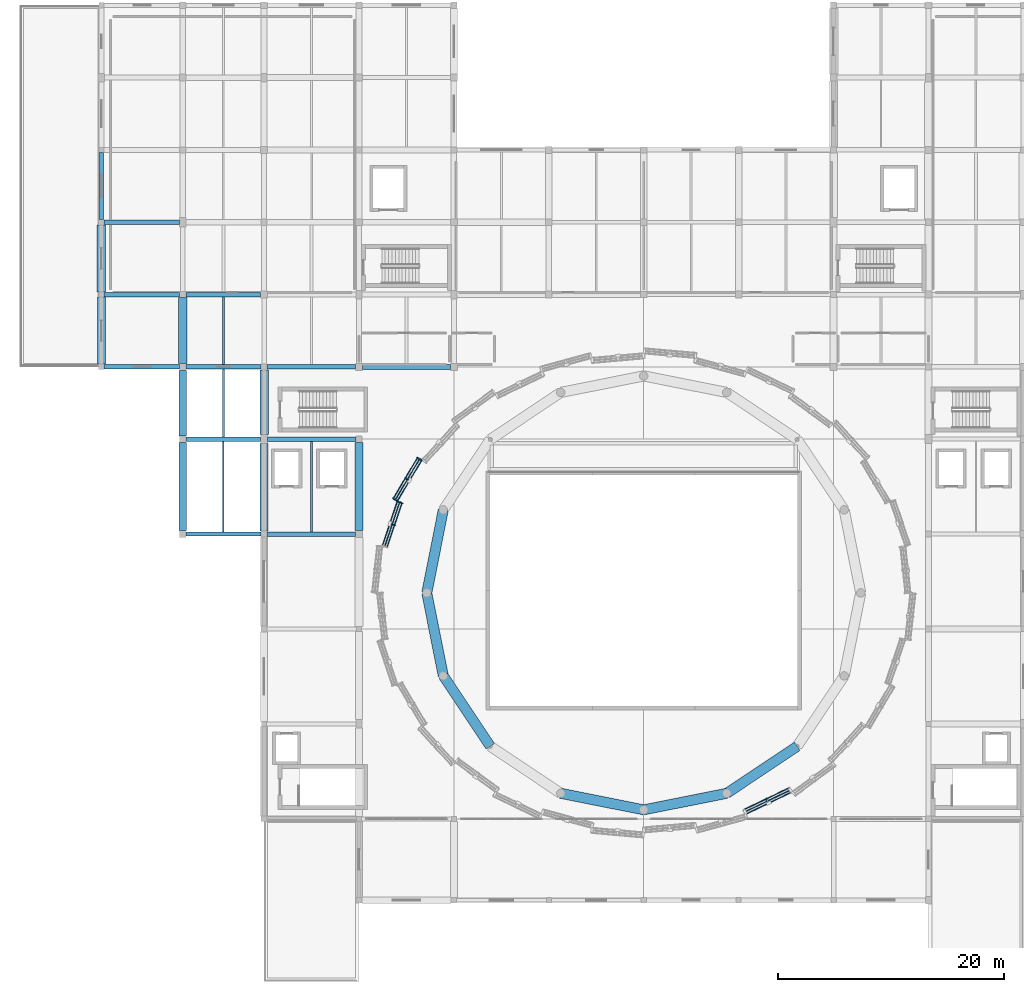
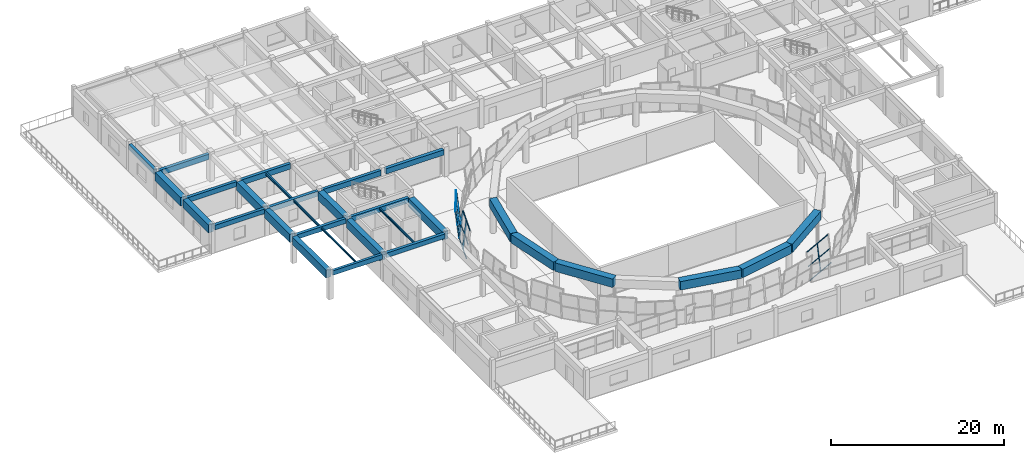
# One storey, part 14 of 40: 30 beams, 24 members, 3 elements without a shape of their own.
"""IFC4 building model written with IfcOpenShell, lengths in metres."""

from ifc_helpers import new_model, si_unit, direction, frame, origin, origin_2d, place, context, subcontext, project, spatial, rectangle, hollow_rectangle, i_section, extrude, material, material_profile, profile_set, type_object, element, aggregate, save


model = new_model("IFC4")

# Units and contexts
model_context = context("Model", 3, precision=1e-05, world=origin(), true_north=direction((0.0, 1.0)))
body_context = subcontext(model_context, "Body", "Model", "MODEL_VIEW")
ifc_project = project(units=[si_unit("LENGTHUNIT", "METRE"), si_unit("AREAUNIT", "SQUARE_METRE"), si_unit("VOLUMEUNIT", "CUBIC_METRE"), si_unit("PLANEANGLEUNIT", "RADIAN"), si_unit("MASSUNIT", "GRAM", prefix="KILO")], contexts=[model_context])

# Site, building, storey
site_placement = place(None, origin())
site = spatial("IfcSite", under=ifc_project, at=site_placement, CompositionType="ELEMENT")
building_placement = place(site_placement, origin())
building = spatial("IfcBuilding", under=site, at=building_placement, Name="Korsvaeld Concert Hall", CompositionType="ELEMENT")
storey_placement = place(building_placement, frame((0.0, 0.0, 13.199951171875)))
storey = spatial("IfcBuildingStorey", under=building, at=storey_placement, Name="L03", CompositionType="ELEMENT", Elevation=13.199951171875)

# Beams
ifc_material_1 = material(Name="Concrete C35/45", Category="concrete")
ifc_material_profile_1 = material_profile(ifc_material_1, rectangle(XDim=0.35009765625, YDim=0.64990234375, at=origin_2d()), Name="RC 350x650")
ifc_profile_set_1 = profile_set([ifc_material_profile_1], Name="Concrete C35/45")
beam_type_1 = type_object("IfcBeamType", Name="BM-RC-350x650", PredefinedType="T_BEAM", material=ifc_profile_set_1)
beam_1_placement = place(storey_placement, frame((43.5, 68.39990234375, 3.51513671875), z_axis=(1.0, 0.0, 0.0), x_axis=(0.0, 1.0, 0.0)))
element("IfcBeam", 1, at=beam_1_placement, inside=storey, type_object=beam_type_1, Name="Primary girder 7-8/K L03", PredefinedType="T_BEAM", context=body_context, shape_type="SweptSolid", body=[
    extrude(rectangle(XDim=0.35009765625, YDim=0.64990234375, at=origin_2d()), origin(), (0.0, 0.0, 1.0), 6.625),
])
ifc_material_profile_2 = material_profile(ifc_material_1, rectangle(XDim=0.39990234375, YDim=0.64990234375, at=origin_2d()), Name="RC 400x650")
ifc_profile_set_2 = profile_set([ifc_material_profile_2], Name="Concrete C35/45")
beam_type_2 = type_object("IfcBeamType", Name="BM-RC-400x650", PredefinedType="T_BEAM", material=ifc_profile_set_2)
beam_2_placement = place(storey_placement, frame((50.675048828125, 68.39990234375, 3.51513671875), z_axis=(1.0, 0.0, 0.0), x_axis=(0.0, 1.0, 0.0)))
element("IfcBeam", 2, at=beam_2_placement, inside=storey, type_object=beam_type_2, Name="Primary girder 8-9/K L03", PredefinedType="T_BEAM", context=body_context, shape_type="SweptSolid", body=[
    extrude(rectangle(XDim=0.39990234375, YDim=0.64990234375, at=origin_2d()), origin(), (0.0, 0.0, 1.0), 7.824951171875),
])
beam_3_placement = place(storey_placement, frame((43.47509765625, 76.800048828125, 3.51513671875), z_axis=(1.0, 0.0, 0.0), x_axis=(0.0, 1.0, 0.0)))
element("IfcBeam", 3, at=beam_3_placement, inside=storey, type_object=beam_type_2, Name="Primary girder 7-8/L L03", PredefinedType="T_BEAM", context=body_context, shape_type="SweptSolid", body=[
    extrude(rectangle(XDim=0.39990234375, YDim=0.64990234375, at=origin_2d()), origin(), (0.0, 0.0, 1.0), 6.625),
])
beam_4_placement = place(storey_placement, frame((36.25, 83.199951171875, 3.51513671875), z_axis=(1.0, 0.0, 0.0), x_axis=(0.0, 1.0, 0.0)))
element("IfcBeam", 4, at=beam_4_placement, inside=storey, type_object=beam_type_2, Name="Primary girder 6-7/M L03", PredefinedType="T_BEAM", context=body_context, shape_type="SweptSolid", body=[
    extrude(rectangle(XDim=0.39990234375, YDim=0.64990234375, at=origin_2d()), origin(), (0.0, 0.0, 1.0), 6.64990234375),
])
ifc_material_profile_3 = material_profile(ifc_material_1, rectangle(XDim=0.39990234375, YDim=0.699951171875, at=origin_2d()), Name="RC 400x700")
ifc_profile_set_3 = profile_set([ifc_material_profile_3], Name="Concrete C35/45")
beam_type_3 = type_object("IfcBeamType", Name="BM-RC-400x700", PredefinedType="T_BEAM", material=ifc_profile_set_3)
beam_5_placement = place(storey_placement, frame((50.699951171875, 76.800048828125, 3.489990234375), z_axis=(1.0, 0.0, 0.0), x_axis=(0.0, 1.0, 0.0)))
element("IfcBeam", 5, at=beam_5_placement, inside=storey, type_object=beam_type_3, Name="Primary girder 8-9/L L03", PredefinedType="T_BEAM", context=body_context, shape_type="SweptSolid", body=[
    extrude(rectangle(XDim=0.39990234375, YDim=0.699951171875, at=origin_2d()), origin(), (0.0, 0.0, 1.0), 7.824951171875),
])
beam_6_placement = place(storey_placement, frame((43.5, 83.199951171875, 3.489990234375), z_axis=(1.0, 0.0, 0.0), x_axis=(0.0, 1.0, 0.0)))
element("IfcBeam", 6, at=beam_6_placement, inside=storey, type_object=beam_type_3, Name="Primary girder 7-8/M L03", PredefinedType="T_BEAM", context=body_context, shape_type="SweptSolid", body=[
    extrude(rectangle(XDim=0.39990234375, YDim=0.699951171875, at=origin_2d()), origin(), (0.0, 0.0, 1.0), 6.625),
])
beam_7_placement = place(storey_placement, frame((36.22509765625, 89.60009765625, 3.489990234375), z_axis=(1.0, 0.0, 0.0), x_axis=(0.0, 1.0, 0.0)))
element("IfcBeam", 7, at=beam_7_placement, inside=storey, type_object=beam_type_3, Name="Primary girder 6-7/N L03", PredefinedType="T_BEAM", context=body_context, shape_type="SweptSolid", body=[
    extrude(rectangle(XDim=0.39990234375, YDim=0.699951171875, at=origin_2d()), origin(), (0.0, 0.0, 1.0), 6.699951171875),
])
beam_8_placement = place(storey_placement, frame((36.0, 96.25, 3.489990234375), z_axis=(0.0, 1.0, 0.0), x_axis=(-1.0, 0.0, 0.0)))
element("IfcBeam", 8, at=beam_8_placement, inside=storey, type_object=beam_type_3, Name="Primary girder 6/P-Q L03", PredefinedType="T_BEAM", context=body_context, shape_type="SweptSolid", body=[
    extrude(rectangle(XDim=0.39990234375, YDim=0.699951171875, at=origin_2d()), origin(), (0.0, 0.0, 1.0), 5.925048828125),
])
ifc_material_profile_4 = material_profile(ifc_material_1, rectangle(XDim=0.39990234375, YDim=0.75, at=origin_2d()), Name="RC 400x750")
ifc_profile_set_4 = profile_set([ifc_material_profile_4], Name="Concrete C35/45")
beam_type_4 = type_object("IfcBeamType", Name="BM-RC-400x750", PredefinedType="T_BEAM", material=ifc_profile_set_4)
beam_9_placement = place(storey_placement, frame((50.675048828125, 83.199951171875, 3.465087890625), z_axis=(1.0, 0.0, 0.0), x_axis=(0.0, 1.0, 0.0)))
element("IfcBeam", 9, at=beam_9_placement, inside=storey, type_object=beam_type_4, Name="Primary girder 8-9/M L03", PredefinedType="T_BEAM", context=body_context, shape_type="SweptSolid", body=[
    extrude(rectangle(XDim=0.39990234375, YDim=0.75, at=origin_2d()), origin(), (0.0, 0.0, 1.0), 7.824951171875),
])
beam_10_placement = place(storey_placement, frame((43.47509765625, 89.60009765625, 3.465087890625), z_axis=(1.0, 0.0, 0.0), x_axis=(0.0, 1.0, 0.0)))
element("IfcBeam", 10, at=beam_10_placement, inside=storey, type_object=beam_type_4, Name="Primary girder 7-8/N L03", PredefinedType="T_BEAM", context=body_context, shape_type="SweptSolid", body=[
    extrude(rectangle(XDim=0.39990234375, YDim=0.75, at=origin_2d()), origin(), (0.0, 0.0, 1.0), 6.625),
])
beam_11_placement = place(storey_placement, frame((36.25, 96.0, 3.465087890625), z_axis=(1.0, 0.0, 0.0), x_axis=(0.0, 1.0, 0.0)))
element("IfcBeam", 11, at=beam_11_placement, inside=storey, type_object=beam_type_4, Name="Primary girder 6-7/P L03", PredefinedType="T_BEAM", context=body_context, shape_type="SweptSolid", body=[
    extrude(rectangle(XDim=0.39990234375, YDim=0.75, at=origin_2d()), origin(), (0.0, 0.0, 1.0), 6.64990234375),
])
ifc_material_profile_5 = material_profile(ifc_material_1, rectangle(XDim=0.449951171875, YDim=0.75, at=origin_2d()), Name="RC 450x750")
ifc_profile_set_5 = profile_set([ifc_material_profile_5], Name="Concrete C35/45")
beam_type_5 = type_object("IfcBeamType", Name="BM-RC-450x750", PredefinedType="T_BEAM", material=ifc_profile_set_5)
beam_12_placement = place(storey_placement, frame((59.10009765625, 83.199951171875, 3.465087890625), z_axis=(1.0, 0.0, 0.0), x_axis=(0.0, 1.0, 0.0)))
element("IfcBeam", 12, at=beam_12_placement, inside=storey, type_object=beam_type_5, Name="Primary girder 9-10/M L03", PredefinedType="T_BEAM", context=body_context, shape_type="SweptSolid", body=[
    extrude(rectangle(XDim=0.449951171875, YDim=0.75, at=origin_2d()), origin(), (0.0, 0.0, 1.0), 7.7998046875),
])
ifc_material_2 = material(Name="Concrete C40/50", Category="concrete")
ifc_material_profile_6 = material_profile(ifc_material_2, rectangle(XDim=0.64990234375, YDim=1.10009765625, at=origin_2d()), Name="RC 650x1100")
ifc_profile_set_6 = profile_set([ifc_material_profile_6], Name="Concrete C40/50")
beam_type_6 = type_object("IfcBeamType", Name="BM-RC-650x1100", PredefinedType="T_BEAM", material=ifc_profile_set_6)
beam_13_placement = place(storey_placement, frame((43.199951171875, 68.699951171875, 3.2900390625), z_axis=(0.0, 1.0, 0.0), x_axis=(-1.0, 0.0, 0.0)))
element("IfcBeam", 13, at=beam_13_placement, inside=storey, type_object=beam_type_6, Name="Primary girder 7/K-L L03", PredefinedType="T_BEAM", context=body_context, shape_type="SweptSolid", body=[
    extrude(rectangle(XDim=0.64990234375, YDim=1.10009765625, at=origin_2d()), origin(), (0.0, 0.0, 1.0), 7.824951171875),
])
ifc_material_profile_7 = material_profile(ifc_material_2, rectangle(XDim=0.699951171875, YDim=1.14990234375, at=origin_2d()), Name="RC 700x1150")
ifc_profile_set_7 = profile_set([ifc_material_profile_7], Name="Concrete C40/50")
beam_type_7 = type_object("IfcBeamType", Name="BM-RC-700x1150", PredefinedType="T_BEAM", material=ifc_profile_set_7)
beam_14_placement = place(storey_placement, frame((36.0, 83.449951171875, 3.26513671875), z_axis=(0.0, 1.0, 0.0), x_axis=(-1.0, 0.0, 0.0)))
element("IfcBeam", 14, at=beam_14_placement, inside=storey, type_object=beam_type_7, Name="Primary girder 6/M-N L03", PredefinedType="T_BEAM", context=body_context, shape_type="SweptSolid", body=[
    extrude(rectangle(XDim=0.699951171875, YDim=1.14990234375, at=origin_2d()), origin(), (0.0, 0.0, 1.0), 5.925048828125),
])
beam_15_placement = place(storey_placement, frame((43.199951171875, 77.074951171875, 3.26513671875), z_axis=(0.0, 1.0, 0.0), x_axis=(-1.0, 0.0, 0.0)))
element("IfcBeam", 15, at=beam_15_placement, inside=storey, type_object=beam_type_7, Name="Primary girder 7/L-M L03", PredefinedType="T_BEAM", context=body_context, shape_type="SweptSolid", body=[
    extrude(rectangle(XDim=0.699951171875, YDim=1.14990234375, at=origin_2d()), origin(), (0.0, 0.0, 1.0), 5.824951171875),
])
beam_16_placement = place(storey_placement, frame((50.39990234375, 68.675048828125, 3.26513671875), z_axis=(0.0, 1.0, 0.0), x_axis=(-1.0, 0.0, 0.0)))
element("IfcBeam", 16, at=beam_16_placement, inside=storey, type_object=beam_type_7, Name="Primary girder 8/K-L L03", PredefinedType="T_BEAM", context=body_context, shape_type="SweptSolid", body=[
    extrude(rectangle(XDim=0.699951171875, YDim=1.14990234375, at=origin_2d()), origin(), (0.0, 0.0, 1.0), 7.724853515625),
])
ifc_material_profile_8 = material_profile(ifc_material_2, rectangle(XDim=0.75, YDim=1.199951171875, at=origin_2d()), Name="RC 750x1200")
ifc_profile_set_8 = profile_set([ifc_material_profile_8], Name="Concrete C40/50")
beam_type_8 = type_object("IfcBeamType", Name="BM-RC-750x1200", PredefinedType="T_BEAM", material=ifc_profile_set_8)
beam_17_placement = place(storey_placement, frame((36.0, 89.824951171875, 3.239990234375), z_axis=(0.0, 1.0, 0.0), x_axis=(-1.0, 0.0, 0.0)))
element("IfcBeam", 17, at=beam_17_placement, inside=storey, type_object=beam_type_8, Name="Primary girder 6/N-P L03", PredefinedType="T_BEAM", context=body_context, shape_type="SweptSolid", body=[
    extrude(rectangle(XDim=0.75, YDim=1.199951171875, at=origin_2d()), origin(), (0.0, 0.0, 1.0), 5.925048828125),
])
beam_18_placement = place(storey_placement, frame((43.199951171875, 83.5, 3.239990234375), z_axis=(0.0, 1.0, 0.0), x_axis=(-1.0, 0.0, 0.0)))
element("IfcBeam", 18, at=beam_18_placement, inside=storey, type_object=beam_type_8, Name="Primary girder 7/M-N L03", PredefinedType="T_BEAM", context=body_context, shape_type="SweptSolid", body=[
    extrude(rectangle(XDim=0.75, YDim=1.199951171875, at=origin_2d()), origin(), (0.0, 0.0, 1.0), 5.824951171875),
])
beam_19_placement = place(storey_placement, frame((50.39990234375, 77.199951171875, 3.239990234375), z_axis=(0.0, 1.0, 0.0), x_axis=(-1.0, 0.0, 0.0)))
element("IfcBeam", 19, at=beam_19_placement, inside=storey, type_object=beam_type_8, Name="Primary girder 8/L-M L03", PredefinedType="T_BEAM", context=body_context, shape_type="SweptSolid", body=[
    extrude(rectangle(XDim=0.75, YDim=1.199951171875, at=origin_2d()), origin(), (0.0, 0.0, 1.0), 5.72509765625),
])
beam_20_placement = place(storey_placement, frame((58.800048828125, 68.699951171875, 3.239990234375), z_axis=(0.0, 1.0, 0.0), x_axis=(-1.0, 0.0, 0.0)))
element("IfcBeam", 20, at=beam_20_placement, inside=storey, type_object=beam_type_8, Name="Primary girder 9/K-L L03", PredefinedType="T_BEAM", context=body_context, shape_type="SweptSolid", body=[
    extrude(rectangle(XDim=0.75, YDim=1.199951171875, at=origin_2d()), origin(), (0.0, 0.0, 1.0), 7.824951171875),
])
ifc_material_profile_9 = material_profile(ifc_material_2, rectangle(XDim=0.89990234375, YDim=1.199951171875, at=origin_2d()), Name="RC 900x1200")
ifc_profile_set_9 = profile_set([ifc_material_profile_9], Name="Concrete C40/50")
beam_type_9 = type_object("IfcBeamType", Name="BM-RING-RC900x1200", PredefinedType="USERDEFINED", material=ifc_profile_set_9)
beam_21_placement = place(storey_placement, frame((66.261474609375, 70.547607421875, 4.199951171875), z_axis=(-0.195075694595, -0.980788189865, 0.0), x_axis=(0.980788189865, -0.195075694595, 0.0)))
element("IfcBeam", 21, at=beam_21_placement, inside=storey, type_object=beam_type_9, Name="Main Hall C40/50 drum ring beam segment 08", ObjectType="RING BEAM", PredefinedType="USERDEFINED", context=body_context, shape_type="SweptSolid", body=[
    extrude(rectangle(XDim=0.89990234375, YDim=1.199951171875, at=origin_2d()), origin(), (0.0, 0.0, 1.0), 7.49169921875),
])
for number, where, z_axis, x_axis, name in (
    (22, (64.800048828125, 63.199951171875, 4.199951171875), (0.195081929911, -0.980786949659, 0.0), (0.980786949659, 0.195081929911, 0.0), "Main Hall C40/50 drum ring beam segment 09"),
    (23, (66.261474609375, 55.8525390625, 4.199951171875), (0.555572265942, -0.831468253944, 0.0), (0.831468253944, 0.555572265942, 0.0), "Main Hall C40/50 drum ring beam segment 10"),
    (24, (76.652587890625, 45.46142578125, 4.199951171875), (0.980786949659, -0.195081929911, 0.0), (0.195081929911, 0.980786949659, 0.0), "Main Hall C40/50 drum ring beam segment 12"),
    (25, (84.0, 44.0, 4.199951171875), (0.980786949659, 0.195081929911, 0.0), (-0.195081929911, 0.980786949659, 0.0), "Main Hall C40/50 drum ring beam segment 13"),
    (26, (91.347412109375, 45.46142578125, 4.199951171875), (0.831468253944, 0.555572265942, 0.0), (-0.555572265942, 0.831468253944, 0.0), "Main Hall C40/50 drum ring beam segment 14"),
):
    element("IfcBeam", number, at=place(storey_placement, frame(where, z_axis=z_axis, x_axis=x_axis)), inside=storey, type_object=beam_type_9, Name=name, ObjectType="RING BEAM", PredefinedType="USERDEFINED", context=body_context, shape_type="SweptSolid", body=[
        extrude(rectangle(XDim=0.89990234375, YDim=1.199951171875, at=origin_2d()), origin(), (0.0, 0.0, 1.0), 7.491455078125),
    ])
ifc_material_3 = material(Name="Steel S355J2", Category="steel")
ifc_material_profile_10 = material_profile(ifc_material_3, i_section(OverallWidth=0.135009765625, OverallDepth=0.27001953125, WebThickness=0.006591796875, FlangeThickness=0.01025390625, FilletRadius=0.014892578125, at=origin_2d()), Name="IPE 270")
ifc_profile_set_10 = profile_set([ifc_material_profile_10], Name="Steel S355J2")
beam_type_10 = type_object("IfcBeamType", Name="BM-STL-IPE270", PredefinedType="JOIST", material=ifc_profile_set_10)
beam_22_placement = place(storey_placement, frame((46.800048828125, 68.574951171875, 3.705078125), z_axis=(0.0, 1.0, 0.0), x_axis=(-1.0, 0.0, 0.0)))
element("IfcBeam", 27, at=beam_22_placement, inside=storey, type_object=beam_type_10, Name="Secondary steel floor beam 7-8/K L03", PredefinedType="JOIST", context=body_context, shape_type="SweptSolid", body=[
    extrude(i_section(OverallWidth=0.135009765625, OverallDepth=0.27001953125, WebThickness=0.006591796875, FlangeThickness=0.01025390625, FilletRadius=0.014892578125, at=origin_2d()), origin(), (0.0, 0.0, 1.0), 8.025146484375),
])
ifc_material_profile_11 = material_profile(ifc_material_3, i_section(OverallWidth=0.14990234375, OverallDepth=0.300048828125, WebThickness=0.007080078125, FlangeThickness=0.0107421875, FilletRadius=0.014892578125, at=origin_2d()), Name="IPE 300")
ifc_profile_set_11 = profile_set([ifc_material_profile_11], Name="Steel S355J2")
beam_type_11 = type_object("IfcBeamType", Name="BM-STL-IPE300", PredefinedType="JOIST", material=ifc_profile_set_11)
beam_23_placement = place(storey_placement, frame((54.60009765625, 68.60009765625, 3.68994140625), z_axis=(0.0, 1.0, 0.0), x_axis=(-1.0, 0.0, 0.0)))
element("IfcBeam", 28, at=beam_23_placement, inside=storey, type_object=beam_type_11, Name="Secondary steel floor beam 8-9/K L03", PredefinedType="JOIST", context=body_context, shape_type="SweptSolid", body=[
    extrude(i_section(OverallWidth=0.14990234375, OverallDepth=0.300048828125, WebThickness=0.007080078125, FlangeThickness=0.0107421875, FilletRadius=0.014892578125, at=origin_2d()), origin(), (0.0, 0.0, 1.0), 8.0),
])
ifc_material_profile_12 = material_profile(ifc_material_3, i_section(OverallWidth=0.159912109375, OverallDepth=0.330078125, WebThickness=0.007568359375, FlangeThickness=0.011474609375, FilletRadius=0.01806640625, at=origin_2d()), Name="IPE 330")
ifc_profile_set_12 = profile_set([ifc_material_profile_12], Name="Steel S355J2")
beam_type_12 = type_object("IfcBeamType", Name="BM-STL-IPE330", PredefinedType="BEAM", material=ifc_profile_set_12)
beam_24_placement = place(storey_placement, frame((46.800048828125, 77.0, 3.675048828125), z_axis=(0.0, 1.0, 0.0), x_axis=(-1.0, 0.0, 0.0)))
element("IfcBeam", 29, at=beam_24_placement, inside=storey, type_object=beam_type_12, Name="Secondary steel floor beam 7-8/L L03", PredefinedType="BEAM", context=body_context, shape_type="SweptSolid", body=[
    extrude(i_section(OverallWidth=0.159912109375, OverallDepth=0.330078125, WebThickness=0.007568359375, FlangeThickness=0.011474609375, FilletRadius=0.01806640625, at=origin_2d()), origin(), (0.0, 0.0, 1.0), 6.0),
])
ifc_material_profile_13 = material_profile(ifc_material_3, i_section(OverallWidth=0.179931640625, OverallDepth=0.39990234375, WebThickness=0.008544921875, FlangeThickness=0.013427734375, FilletRadius=0.02099609375, at=origin_2d()), Name="IPE 400")
ifc_profile_set_13 = profile_set([ifc_material_profile_13], Name="Steel S355J2")
beam_type_13 = type_object("IfcBeamType", Name="BM-STL-IPE400", PredefinedType="BEAM", material=ifc_profile_set_13)
beam_25_placement = place(storey_placement, frame((46.800048828125, 83.39990234375, 3.64013671875), z_axis=(0.0, 1.0, 0.0), x_axis=(-1.0, 0.0, 0.0)))
element("IfcBeam", 30, at=beam_25_placement, inside=storey, type_object=beam_type_13, Name="Secondary steel floor beam 7-8/M L03", PredefinedType="BEAM", context=body_context, shape_type="SweptSolid", body=[
    extrude(i_section(OverallWidth=0.179931640625, OverallDepth=0.39990234375, WebThickness=0.008544921875, FlangeThickness=0.013427734375, FilletRadius=0.02099609375, at=origin_2d()), origin(), (0.0, 0.0, 1.0), 6.0),
])

# Curtain wall, members
ifc_material_4 = material(Name="Anodised bronze and ceramic-fritted safety glass", Category="glass")
curtain_wall_type_1 = type_object("IfcCurtainWallType", Name="CW-TYPE-06", PredefinedType="USERDEFINED", material=ifc_material_4)
curtain_wall_1_placement = place(storey_placement, origin())
curtain_wall_1 = element("IfcCurtainWall", 31, at=curtain_wall_1_placement, inside=storey, type_object=curtain_wall_type_1, Name="Crystal curtain-wall facet L03 F14", ObjectType="CURTAIN WALL", PredefinedType="USERDEFINED")
ifc_material_5 = material(Name="Anodised architectural bronze aluminium", Category="aluminium")
ifc_material_profile_14 = material_profile(ifc_material_5, hollow_rectangle(XDim=0.074951171875, YDim=0.179931640625, WallThickness=0.0048828125, at=origin_2d()), Name="CWM 180x75x5")
ifc_profile_set_14 = profile_set([ifc_material_profile_14], Name="Anodised architectural bronze aluminium")
member_type_1 = type_object("IfcMemberType", Name="CWM-BRONZE-180x75", PredefinedType="MULLION", material=ifc_profile_set_14)
member_1_placement = place(storey_placement, frame((64.358154296875, 74.94580078125, 0.0), z_axis=(-0.102026799703, 0.049012874367, 0.993573485097), x_axis=(-0.830085935221, -0.554623592574, -0.057879277021)))
member_1 = element("IfcMember", 32, at=member_1_placement, type_object=member_type_1, Name="CW-CRYS-L03-F14 crystal mullion 1", PredefinedType="MULLION", context=body_context, shape_type="SweptSolid", body=[
    extrude(hollow_rectangle(XDim=0.074951171875, YDim=0.179931640625, WallThickness=0.0048828125, at=origin_2d()), origin(), (0.0, 0.0, 1.0), 3.9052734375),
])
member_2_placement = place(storey_placement, frame((63.286865234375, 73.1455078125, 0.0), z_axis=(-0.102026799703, 0.049012874367, 0.993573485097), x_axis=(-0.830085935221, -0.554623592574, -0.057879277021)))
member_2 = element("IfcMember", 33, at=member_2_placement, type_object=member_type_1, Name="CW-CRYS-L03-F14 crystal mullion 2", PredefinedType="MULLION", context=body_context, shape_type="SweptSolid", body=[
    extrude(hollow_rectangle(XDim=0.074951171875, YDim=0.179931640625, WallThickness=0.0048828125, at=origin_2d()), origin(), (0.0, 0.0, 1.0), 3.9052734375),
])
member_3_placement = place(storey_placement, frame((62.215576171875, 71.34521484375, 0.0), z_axis=(-0.102027112126, 0.04895050784, 0.993576527588), x_axis=(-0.829811048286, -0.55503620991, -0.057865618728)))
member_3 = element("IfcMember", 34, at=member_3_placement, type_object=member_type_1, Name="CW-CRYS-L03-F14 crystal mullion 3", PredefinedType="MULLION", context=body_context, shape_type="SweptSolid", body=[
    extrude(hollow_rectangle(XDim=0.074951171875, YDim=0.179931640625, WallThickness=0.0048828125, at=origin_2d()), origin(), (0.0, 0.0, 1.0), 3.9052734375),
])

curtain_wall_type_2 = type_object("IfcCurtainWallType", Name="CW-TYPE-07", PredefinedType="USERDEFINED", material=ifc_material_4)
curtain_wall_2_placement = place(storey_placement, origin())
curtain_wall_2 = element("IfcCurtainWall", 35, at=curtain_wall_2_placement, inside=storey, type_object=curtain_wall_type_2, Name="Crystal curtain-wall facet L03 F15", ObjectType="CURTAIN WALL", PredefinedType="USERDEFINED")
ifc_material_profile_15 = material_profile(ifc_material_5, hollow_rectangle(XDim=0.074951171875, YDim=0.219970703125, WallThickness=0.006103515625, at=origin_2d()), Name="CWM 220x75x6")
ifc_profile_set_15 = profile_set([ifc_material_profile_15], Name="Anodised architectural bronze aluminium")
member_type_2 = type_object("IfcMemberType", Name="CWM-BRONZE-220x75", PredefinedType="MULLION", material=ifc_profile_set_15)
member_4_placement = place(storey_placement, frame((62.184326171875, 71.27734375, 0.0), z_axis=(0.109216080383, -0.029757787214, 0.993572504594), x_axis=(0.555751717741, 0.83055918565, -0.036214187285)))
member_4 = element("IfcMember", 36, at=member_4_placement, type_object=member_type_2, Name="CW-CRYS-L03-F15 crystal mullion 1", PredefinedType="MULLION", context=body_context, shape_type="SweptSolid", body=[
    extrude(hollow_rectangle(XDim=0.074951171875, YDim=0.219970703125, WallThickness=0.006103515625, at=origin_2d()), origin(), (0.0, 0.0, 1.0), 3.9052734375),
])
member_5_placement = place(storey_placement, frame((61.52490234375, 69.324462890625, 0.0), z_axis=(0.109216080383, -0.029757787214, 0.993572504594), x_axis=(0.555751717741, 0.83055918565, -0.036214187285)))
member_5 = element("IfcMember", 37, at=member_5_placement, type_object=member_type_2, Name="CW-CRYS-L03-F15 crystal mullion 2", PredefinedType="MULLION", context=body_context, shape_type="SweptSolid", body=[
    extrude(hollow_rectangle(XDim=0.074951171875, YDim=0.219970703125, WallThickness=0.006103515625, at=origin_2d()), origin(), (0.0, 0.0, 1.0), 3.9052734375),
])

# Curtain wall, member
curtain_wall_type_3 = type_object("IfcCurtainWallType", Name="CW-TYPE-03", PredefinedType="USERDEFINED", material=ifc_material_4)
curtain_wall_3_placement = place(storey_placement, origin())
curtain_wall_3 = element("IfcCurtainWall", 38, at=curtain_wall_3_placement, inside=storey, type_object=curtain_wall_type_3, Name="Crystal curtain-wall facet L03 F27", ObjectType="CURTAIN WALL", PredefinedType="USERDEFINED")
member_6_placement = place(storey_placement, frame((95.0712890625, 44.59326171875, 0.0), z_axis=(-0.057827838836, 0.097275802409, 0.993576046069), x_axis=(0.829740754725, -0.548746539868, 0.102017228601)))
member_6 = element("IfcMember", 39, at=member_6_placement, type_object=member_type_2, Name="CW-CRYS-L03-F27 crystal mullion 2", PredefinedType="MULLION", context=body_context, shape_type="SweptSolid", body=[
    extrude(hollow_rectangle(XDim=0.074951171875, YDim=0.219970703125, WallThickness=0.006103515625, at=origin_2d()), origin(), (0.0, 0.0, 1.0), 3.9052734375),
])

# Member
ifc_material_profile_16 = material_profile(ifc_material_5, hollow_rectangle(XDim=0.06005859375, YDim=0.139892578125, WallThickness=0.00390625, at=origin_2d()), Name="CWT 140x60x4")
ifc_profile_set_16 = profile_set([ifc_material_profile_16], Name="Anodised architectural bronze aluminium")
member_type_3 = type_object("IfcMemberType", Name="CWT-BRONZE-140x60", PredefinedType="USERDEFINED", material=ifc_profile_set_16)
member_7_placement = place(storey_placement, frame((64.3359375, 74.9150390625, 0.030029296875), z_axis=(-0.511381861684, -0.859353589357, 0.0), x_axis=(0.859353589357, -0.511381861684, 0.0)))
member_7 = element("IfcMember", 40, at=member_7_placement, type_object=member_type_3, Name="CW-CRYS-L03-F14 crystal transom 1.1", ObjectType="TRANSOM", PredefinedType="USERDEFINED", context=body_context, shape_type="SweptSolid", body=[
    extrude(hollow_rectangle(XDim=0.06005859375, YDim=0.139892578125, WallThickness=0.00390625, at=origin_2d()), origin(), (0.0, 0.0, 1.0), 2.02001953125),
])

member_8_placement = place(storey_placement, frame((64.1396484375, 75.00927734375, 1.93994140625), z_axis=(-0.511381861684, -0.859353589357, 0.0), x_axis=(0.859353589357, -0.511381861684, 0.0)))
member_8 = element("IfcMember", 41, at=member_8_placement, type_object=member_type_3, Name="CW-CRYS-L03-F14 crystal transom 1.2", ObjectType="TRANSOM", PredefinedType="USERDEFINED", context=body_context, shape_type="SweptSolid", body=[
    extrude(hollow_rectangle(XDim=0.06005859375, YDim=0.139892578125, WallThickness=0.00390625, at=origin_2d()), origin(), (0.0, 0.0, 1.0), 2.02001953125),
])

member_9_placement = place(storey_placement, frame((63.943603515625, 75.103515625, 3.85009765625), z_axis=(-0.511381861684, -0.859353589357, 0.0), x_axis=(0.859353589357, -0.511381861684, 0.0)))
member_9 = element("IfcMember", 42, at=member_9_placement, type_object=member_type_3, Name="CW-CRYS-L03-F14 crystal transom 1.3", ObjectType="TRANSOM", PredefinedType="USERDEFINED", context=body_context, shape_type="SweptSolid", body=[
    extrude(hollow_rectangle(XDim=0.06005859375, YDim=0.139892578125, WallThickness=0.00390625, at=origin_2d()), origin(), (0.0, 0.0, 1.0), 2.02001953125),
])

member_10_placement = place(storey_placement, frame((63.2646484375, 73.11474609375, 0.030029296875), z_axis=(-0.511381861684, -0.859353589357, 0.0), x_axis=(0.859353589357, -0.511381861684, 0.0)))
member_10 = element("IfcMember", 43, at=member_10_placement, type_object=member_type_3, Name="CW-CRYS-L03-F14 crystal transom 2.1", ObjectType="TRANSOM", PredefinedType="USERDEFINED", context=body_context, shape_type="SweptSolid", body=[
    extrude(hollow_rectangle(XDim=0.06005859375, YDim=0.139892578125, WallThickness=0.00390625, at=origin_2d()), origin(), (0.0, 0.0, 1.0), 2.02001953125),
])

member_11_placement = place(storey_placement, frame((63.068359375, 73.208984375, 1.93994140625), z_axis=(-0.511381861684, -0.859353589357, 0.0), x_axis=(0.859353589357, -0.511381861684, 0.0)))
member_11 = element("IfcMember", 44, at=member_11_placement, type_object=member_type_3, Name="CW-CRYS-L03-F14 crystal transom 2.2", ObjectType="TRANSOM", PredefinedType="USERDEFINED", context=body_context, shape_type="SweptSolid", body=[
    extrude(hollow_rectangle(XDim=0.06005859375, YDim=0.139892578125, WallThickness=0.00390625, at=origin_2d()), origin(), (0.0, 0.0, 1.0), 2.02001953125),
])

member_12_placement = place(storey_placement, frame((62.872314453125, 73.30322265625, 3.85009765625), z_axis=(-0.511328750939, -0.859385192136, 0.0), x_axis=(0.859385192136, -0.511328750939, 0.0)))
member_12 = element("IfcMember", 45, at=member_12_placement, type_object=member_type_3, Name="CW-CRYS-L03-F14 crystal transom 2.3", ObjectType="TRANSOM", PredefinedType="USERDEFINED", context=body_context, shape_type="SweptSolid", body=[
    extrude(hollow_rectangle(XDim=0.06005859375, YDim=0.139892578125, WallThickness=0.00390625, at=origin_2d()), origin(), (0.0, 0.0, 1.0), 2.020263671875),
])

aggregate(curtain_wall_1, [member_1, member_2, member_3, member_7, member_8, member_9, member_10, member_11, member_12])

member_13_placement = place(storey_placement, frame((62.17578125, 71.240966796875, 0.030029296875), z_axis=(-0.319949676143, -0.947434538497, 0.0), x_axis=(0.947434538497, -0.319949676143, 0.0)))
member_13 = element("IfcMember", 46, at=member_13_placement, type_object=member_type_3, Name="CW-CRYS-L03-F15 crystal transom 1.1", ObjectType="TRANSOM", PredefinedType="USERDEFINED", context=body_context, shape_type="SweptSolid", body=[
    extrude(hollow_rectangle(XDim=0.06005859375, YDim=0.139892578125, WallThickness=0.00390625, at=origin_2d()), origin(), (0.0, 0.0, 1.0), 1.986328125),
])

member_14_placement = place(storey_placement, frame((62.3857421875, 71.183837890625, 1.93994140625), z_axis=(-0.319912420616, -0.947447118912, 0.0), x_axis=(0.947447118912, -0.319912420616, 0.0)))
member_14 = element("IfcMember", 47, at=member_14_placement, type_object=member_type_3, Name="CW-CRYS-L03-F15 crystal transom 1.2", ObjectType="TRANSOM", PredefinedType="USERDEFINED", context=body_context, shape_type="SweptSolid", body=[
    extrude(hollow_rectangle(XDim=0.06005859375, YDim=0.139892578125, WallThickness=0.00390625, at=origin_2d()), origin(), (0.0, 0.0, 1.0), 1.986572265625),
])

member_15_placement = place(storey_placement, frame((62.595703125, 71.12646484375, 3.85009765625), z_axis=(-0.319949676143, -0.947434538497, 0.0), x_axis=(0.947434538497, -0.319949676143, 0.0)))
member_15 = element("IfcMember", 48, at=member_15_placement, type_object=member_type_3, Name="CW-CRYS-L03-F15 crystal transom 1.3", ObjectType="TRANSOM", PredefinedType="USERDEFINED", context=body_context, shape_type="SweptSolid", body=[
    extrude(hollow_rectangle(XDim=0.06005859375, YDim=0.139892578125, WallThickness=0.00390625, at=origin_2d()), origin(), (0.0, 0.0, 1.0), 1.986328125),
])

member_16_placement = place(storey_placement, frame((61.516357421875, 69.2880859375, 0.030029296875), z_axis=(-0.319912420616, -0.947447118912, 0.0), x_axis=(0.947447118912, -0.319912420616, 0.0)))
member_16 = element("IfcMember", 49, at=member_16_placement, type_object=member_type_3, Name="CW-CRYS-L03-F15 crystal transom 2.1", ObjectType="TRANSOM", PredefinedType="USERDEFINED", context=body_context, shape_type="SweptSolid", body=[
    extrude(hollow_rectangle(XDim=0.06005859375, YDim=0.139892578125, WallThickness=0.00390625, at=origin_2d()), origin(), (0.0, 0.0, 1.0), 1.986572265625),
])

member_17_placement = place(storey_placement, frame((61.726318359375, 69.230712890625, 1.93994140625), z_axis=(-0.319949676143, -0.947434538497, 0.0), x_axis=(0.947434538497, -0.319949676143, 0.0)))
member_17 = element("IfcMember", 50, at=member_17_placement, type_object=member_type_3, Name="CW-CRYS-L03-F15 crystal transom 2.2", ObjectType="TRANSOM", PredefinedType="USERDEFINED", context=body_context, shape_type="SweptSolid", body=[
    extrude(hollow_rectangle(XDim=0.06005859375, YDim=0.139892578125, WallThickness=0.00390625, at=origin_2d()), origin(), (0.0, 0.0, 1.0), 1.986328125),
])

member_18_placement = place(storey_placement, frame((61.936279296875, 69.173583984375, 3.85009765625), z_axis=(-0.319949676143, -0.947434538497, 0.0), x_axis=(0.947434538497, -0.319949676143, 0.0)))
member_18 = element("IfcMember", 51, at=member_18_placement, type_object=member_type_3, Name="CW-CRYS-L03-F15 crystal transom 2.3", ObjectType="TRANSOM", PredefinedType="USERDEFINED", context=body_context, shape_type="SweptSolid", body=[
    extrude(hollow_rectangle(XDim=0.06005859375, YDim=0.139892578125, WallThickness=0.00390625, at=origin_2d()), origin(), (0.0, 0.0, 1.0), 1.986328125),
])

aggregate(curtain_wall_2, [member_4, member_5, member_13, member_14, member_15, member_16, member_17, member_18])

member_19_placement = place(storey_placement, frame((93.09716796875, 43.649169921875, 0.030029296875), z_axis=(0.901464591462, 0.432852850679, 0.0), x_axis=(-0.432852850679, 0.901464591462, 0.0)))
member_19 = element("IfcMember", 52, at=member_19_placement, type_object=member_type_3, Name="CW-CRYS-L03-F27 crystal transom 1.1", ObjectType="TRANSOM", PredefinedType="USERDEFINED", context=body_context, shape_type="SweptSolid", body=[
    extrude(hollow_rectangle(XDim=0.06005859375, YDim=0.139892578125, WallThickness=0.00390625, at=origin_2d()), origin(), (0.0, 0.0, 1.0), 2.150634765625),
])

member_20_placement = place(storey_placement, frame((92.98583984375, 43.836181640625, 1.93994140625), z_axis=(0.901464591462, 0.432852850679, 0.0), x_axis=(-0.432852850679, 0.901464591462, 0.0)))
member_20 = element("IfcMember", 53, at=member_20_placement, type_object=member_type_3, Name="CW-CRYS-L03-F27 crystal transom 1.2", ObjectType="TRANSOM", PredefinedType="USERDEFINED", context=body_context, shape_type="SweptSolid", body=[
    extrude(hollow_rectangle(XDim=0.06005859375, YDim=0.139892578125, WallThickness=0.00390625, at=origin_2d()), origin(), (0.0, 0.0, 1.0), 2.150634765625),
])

member_21_placement = place(storey_placement, frame((92.87451171875, 44.023193359375, 3.85009765625), z_axis=(0.901464591462, 0.432852850679, 0.0), x_axis=(-0.432852850679, 0.901464591462, 0.0)))
member_21 = element("IfcMember", 54, at=member_21_placement, type_object=member_type_3, Name="CW-CRYS-L03-F27 crystal transom 1.3", ObjectType="TRANSOM", PredefinedType="USERDEFINED", context=body_context, shape_type="SweptSolid", body=[
    extrude(hollow_rectangle(XDim=0.06005859375, YDim=0.139892578125, WallThickness=0.00390625, at=origin_2d()), origin(), (0.0, 0.0, 1.0), 2.150634765625),
])

member_22_placement = place(storey_placement, frame((95.103515625, 44.612548828125, 0.030029296875), z_axis=(0.901508884705, 0.432760592935, 0.0), x_axis=(-0.432760592935, 0.901508884705, 0.0)))
member_22 = element("IfcMember", 55, at=member_22_placement, type_object=member_type_3, Name="CW-CRYS-L03-F27 crystal transom 2.1", ObjectType="TRANSOM", PredefinedType="USERDEFINED", context=body_context, shape_type="SweptSolid", body=[
    extrude(hollow_rectangle(XDim=0.06005859375, YDim=0.139892578125, WallThickness=0.00390625, at=origin_2d()), origin(), (0.0, 0.0, 1.0), 2.150634765625),
])

member_23_placement = place(storey_placement, frame((94.9921875, 44.799560546875, 1.93994140625), z_axis=(0.901508884705, 0.432760592935, 0.0), x_axis=(-0.432760592935, 0.901508884705, 0.0)))
member_23 = element("IfcMember", 56, at=member_23_placement, type_object=member_type_3, Name="CW-CRYS-L03-F27 crystal transom 2.2", ObjectType="TRANSOM", PredefinedType="USERDEFINED", context=body_context, shape_type="SweptSolid", body=[
    extrude(hollow_rectangle(XDim=0.06005859375, YDim=0.139892578125, WallThickness=0.00390625, at=origin_2d()), origin(), (0.0, 0.0, 1.0), 2.150634765625),
])

member_24_placement = place(storey_placement, frame((94.880859375, 44.986572265625, 3.85009765625), z_axis=(0.901508884705, 0.432760592935, 0.0), x_axis=(-0.432760592935, 0.901508884705, 0.0)))
member_24 = element("IfcMember", 57, at=member_24_placement, type_object=member_type_3, Name="CW-CRYS-L03-F27 crystal transom 2.3", ObjectType="TRANSOM", PredefinedType="USERDEFINED", context=body_context, shape_type="SweptSolid", body=[
    extrude(hollow_rectangle(XDim=0.06005859375, YDim=0.139892578125, WallThickness=0.00390625, at=origin_2d()), origin(), (0.0, 0.0, 1.0), 2.150634765625),
])

aggregate(curtain_wall_3, [member_6, member_19, member_20, member_21, member_22, member_23, member_24])

save(model, "model.ifc")
